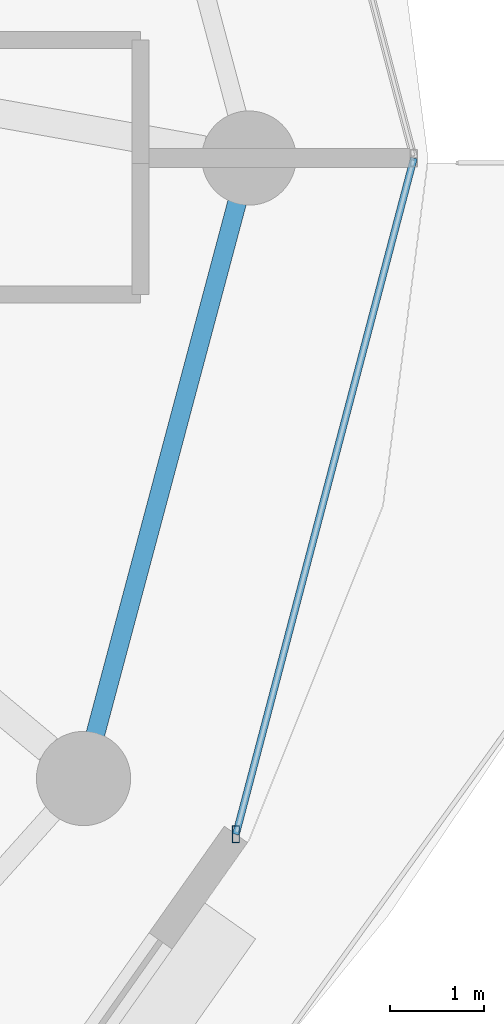
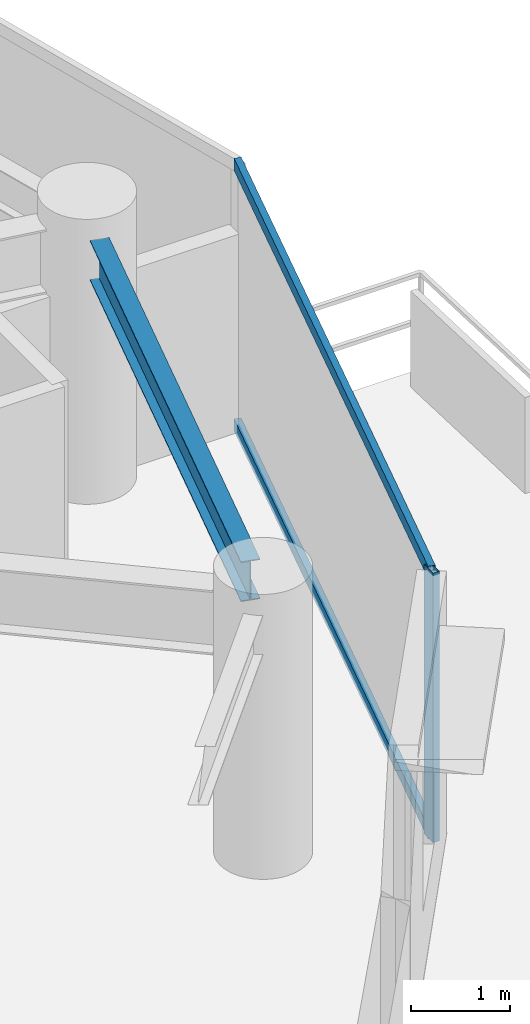
# One storey, part 14 of 31: 3 members, 1 beam, 1 element without a shape of its own.
"""IFC4 building model written with IfcOpenShell, lengths in metres."""

from ifc_helpers import new_model, si_unit, direction, frame, origin, origin_2d, place, context, subcontext, project, spatial, hollow_rectangle, i_section, extrude, material, material_profile, profile_set, type_object, element, aggregate, save


model = new_model("IFC4")

# Units and contexts
model_context = context("Model", 3, precision=1e-05, world=origin(), true_north=direction((0.0, 1.0)))
body_context = subcontext(model_context, "Body", "Model", "MODEL_VIEW")
ifc_project = project(units=[si_unit("LENGTHUNIT", "METRE"), si_unit("AREAUNIT", "SQUARE_METRE"), si_unit("VOLUMEUNIT", "CUBIC_METRE"), si_unit("PLANEANGLEUNIT", "RADIAN"), si_unit("MASSUNIT", "GRAM", prefix="KILO")], contexts=[model_context])

# Site, building, storey
site_placement = place(None, origin())
site = spatial("IfcSite", under=ifc_project, at=site_placement, CompositionType="ELEMENT")
building_placement = place(site_placement, origin())
building = spatial("IfcBuilding", under=site, at=building_placement, Name="Vorneva Point Tower", CompositionType="ELEMENT")
storey_placement = place(building_placement, frame((0.0, 0.0, 129.10009765625)))
storey = spatial("IfcBuildingStorey", under=building, at=storey_placement, Name="L34", CompositionType="ELEMENT", Elevation=129.10009765625)

# Beam
ifc_material_1 = material(Name="Steel S355", Category="steel")
ifc_material_profile_1 = material_profile(ifc_material_1, i_section(OverallWidth=0.199951171875, OverallDepth=0.491943359375, WebThickness=0.0087890625, FlangeThickness=0.011962890625, at=origin_2d()), Name="50B1")
ifc_profile_set_1 = profile_set([ifc_material_profile_1], Name="Steel S355")
beam_type = type_object("IfcBeamType", Name="BM-SPN-50B1", PredefinedType="SPANDREL", material=ifc_profile_set_1)
beam_placement = place(storey_placement, frame((59.42041015625, 19.886474609375, 2.993896484375), z_axis=(0.257550804648, 0.966264758245, 0.0), x_axis=(-0.966264758245, 0.257550804648, 0.0)))
element("IfcBeam", 1, at=beam_placement, inside=storey, type_object=beam_type, Name="L34 Perimeter Spandrel Ring Beam 16", PredefinedType="SPANDREL", context=body_context, shape_type="SweptSolid", body=[
    extrude(i_section(OverallWidth=0.199951171875, OverallDepth=0.491943359375, WebThickness=0.0087890625, FlangeThickness=0.011962890625, at=origin_2d()), origin(), (0.0, 0.0, 1.0), 5.842041015625),
])

# Curtain wall, members
ifc_material_2 = material(Name="Pale anodised aluminium", Category="aluminium")
curtain_wall_type = type_object("IfcCurtainWallType", Name="CW-RES-SYS", PredefinedType="NOTDEFINED", material=ifc_material_2)
curtain_wall_placement = place(storey_placement, origin())
curtain_wall = element("IfcCurtainWall", 2, at=curtain_wall_placement, inside=storey, type_object=curtain_wall_type, Name="L34 Unitised Curtain Wall CW-L34-R01", PredefinedType="NOTDEFINED")
ifc_material_profile_2 = material_profile(ifc_material_2, hollow_rectangle(XDim=0.074951171875, YDim=0.179931640625, WallThickness=0.00390625, at=origin_2d()), Name="AL-MUL 180x75x4")
ifc_profile_set_2 = profile_set([ifc_material_profile_2], Name="Pale anodised aluminium")
member_type_1 = type_object("IfcMemberType", Name="CW-MUL-180", PredefinedType="MULLION", material=ifc_profile_set_2)
member_1_placement = place(storey_placement, frame((60.912109375, 18.82470703125, -0.0400390625), z_axis=(0.0, 0.0, 1.0), x_axis=(1.0, 0.0, 0.0)))
member_1 = element("IfcMember", 3, at=member_1_placement, type_object=member_type_1, Name="CW-L34-R01 Mullion 01", PredefinedType="MULLION", context=body_context, shape_type="SweptSolid", body=[
    extrude(hollow_rectangle(XDim=0.074951171875, YDim=0.179931640625, WallThickness=0.00390625, at=origin_2d()), origin(), (0.0, 0.0, 1.0), 3.31005859375),
])
ifc_material_profile_3 = material_profile(ifc_material_2, hollow_rectangle(XDim=0.074951171875, YDim=0.14990234375, WallThickness=0.00390625, at=origin_2d()), Name="AL-TRN 150x75x4")
ifc_profile_set_3 = profile_set([ifc_material_profile_3], Name="Pale anodised aluminium")
member_type_2 = type_object("IfcMemberType", Name="CW-TRN-150", PredefinedType="USERDEFINED", material=ifc_profile_set_3)
member_2_placement = place(storey_placement, frame((60.912109375, 18.82470703125, 0.02001953125), z_axis=(0.254456046293, 0.967084339913, 0.0), x_axis=(-0.967084339913, 0.254456046293, 0.0)))
member_2 = element("IfcMember", 4, at=member_2_placement, type_object=member_type_2, Name="CW-L34-R01 Transom 01.1", ObjectType="TRANSOM", PredefinedType="USERDEFINED", context=body_context, shape_type="SweptSolid", body=[
    extrude(hollow_rectangle(XDim=0.074951171875, YDim=0.14990234375, WallThickness=0.00390625, at=origin_2d()), origin(), (0.0, 0.0, 1.0), 7.41943359375),
])
member_3_placement = place(storey_placement, frame((60.912109375, 18.82470703125, 3.219970703125), z_axis=(0.254456046293, 0.967084339913, 0.0), x_axis=(-0.967084339913, 0.254456046293, 0.0)))
member_3 = element("IfcMember", 5, at=member_3_placement, type_object=member_type_2, Name="CW-L34-R01 Transom 01.2", ObjectType="TRANSOM", PredefinedType="USERDEFINED", context=body_context, shape_type="SweptSolid", body=[
    extrude(hollow_rectangle(XDim=0.074951171875, YDim=0.14990234375, WallThickness=0.00390625, at=origin_2d()), origin(), (0.0, 0.0, 1.0), 7.41943359375),
])
aggregate(curtain_wall, [member_1, member_2, member_3])

save(model, "model.ifc")
